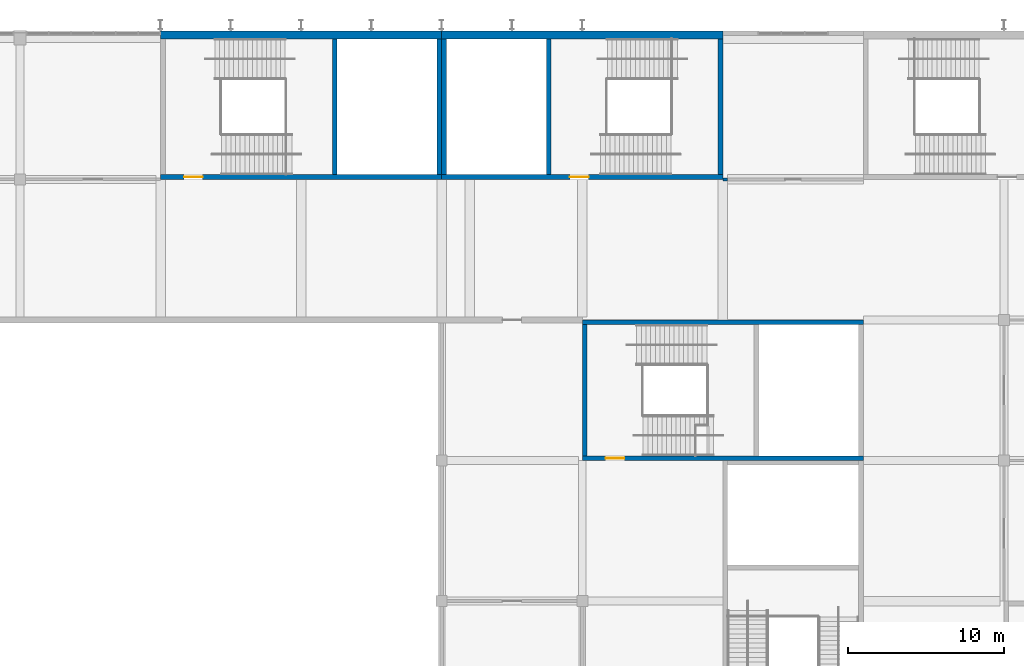
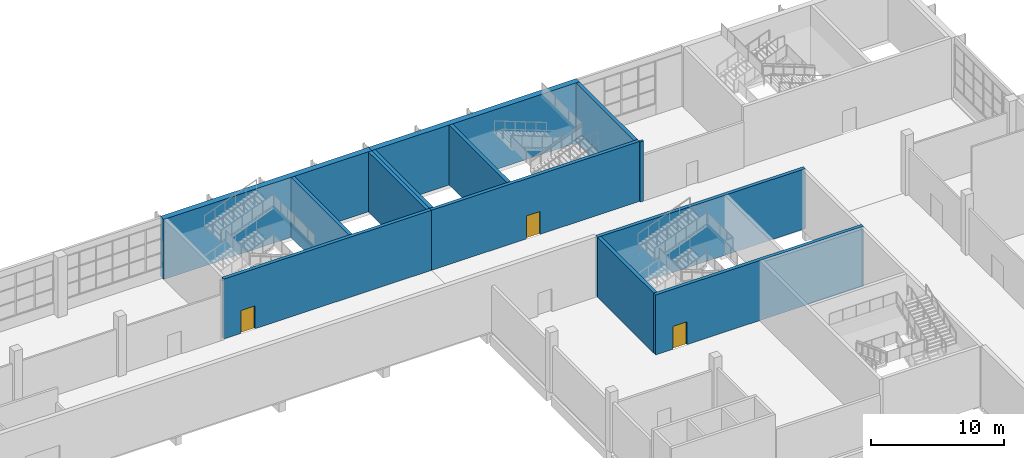
# One storey, part 41 of 84: 13 walls, 3 doors, 3 openings.
"""IFC4 building model written with IfcOpenShell, lengths in metres."""

from ifc_helpers import new_model, si_unit, direction, frame, frame_2d, origin, place, context, subcontext, project, spatial, rectangle, extrude, material, layer, layer_set, type_object, element, fill, save


model = new_model("IFC4")

# Units and contexts
model_context = context("Model", 3, precision=1e-05, world=origin(), true_north=direction((0.0, 1.0)))
body_context = subcontext(model_context, "Body", "Model", "MODEL_VIEW")
ifc_project = project(units=[si_unit("LENGTHUNIT", "METRE"), si_unit("AREAUNIT", "SQUARE_METRE"), si_unit("VOLUMEUNIT", "CUBIC_METRE"), si_unit("PLANEANGLEUNIT", "RADIAN"), si_unit("MASSUNIT", "GRAM", prefix="KILO")], contexts=[model_context])

# Site, building, storey
site_placement = place(None, origin())
site = spatial("IfcSite", under=ifc_project, at=site_placement, CompositionType="ELEMENT")
building_placement = place(site_placement, origin())
building = spatial("IfcBuilding", under=site, at=building_placement, Name="Silverbay Arena", CompositionType="ELEMENT")
storey_placement = place(building_placement, frame((0.0, 0.0, 28.0)))
storey = spatial("IfcBuildingStorey", under=building, at=storey_placement, Name="L04", CompositionType="ELEMENT", Elevation=28.0)

# Wall, opening, door
ifc_material_1 = material(Name="Concrete Grade C45", Category="concrete")
ifc_layer_1 = layer(ifc_material_1, 0.300048828125)
ifc_layer_set_1 = layer_set([ifc_layer_1], Name="Concrete Grade C45")
wall_type_1 = type_object("IfcWallType", Name="Core wall RC 300 EI 120", PredefinedType="SHEAR", material=ifc_layer_set_1)
wall_1_placement = place(storey_placement, frame((144.0, 135.14990234375, 0.0), z_axis=(0.0, 0.0, 1.0), x_axis=(1.0, 0.0, 0.0)))
wall_1 = element("IfcWall", 1, at=wall_1_placement, inside=storey, type_object=wall_type_1, Name="Core wall ST-N3 L04 door side", PredefinedType="SHEAR", context=body_context, shape_type="SweptSolid", body=[
    extrude(rectangle(XDim=18.0, YDim=0.300048828125, at=frame_2d((9.0, 0.0))), origin(), (0.0, 0.0, 1.0), 5.5),
])
opening_1_placement = place(wall_1_placement, frame((1.5, 0.0, 0.0)))
opening_1 = element("IfcOpeningElement", 2, at=opening_1_placement, cuts=wall_1, Name="Opening L04-061", PredefinedType="OPENING", context=body_context, shape_type="SweptSolid", body=[
    extrude(rectangle(XDim=1.199951171875, YDim=2.10009765625, at=frame_2d((0.60009765625, 1.050048828125))), frame((0.0, 0.16015625, 0.0), z_axis=(0.0, -1.0, 0.0), x_axis=(1.0, 0.0, 0.0)), (0.0, 0.0, 1.0), 0.320068359375),
])
ifc_material_2 = material(Name="Steel fire door", Category="steel")
door_type = type_object("IfcDoorType", Name="Stair door 1200 x 2100 fire door", OperationType="SINGLE_SWING_LEFT", PredefinedType="DOOR", material=ifc_material_2)
door_1_placement = place(opening_1_placement, origin())
door_1 = element("IfcDoor", 3, at=door_1_placement, inside=storey, type_object=door_type, Name="Stair door ST-N3 L04", OperationType="SINGLE_SWING_LEFT", OverallHeight=2.10009765625, OverallWidth=1.199951171875, PredefinedType="DOOR", context=body_context, shape_type="SweptSolid", body=[
    extrude(rectangle(XDim=1.199951171875, YDim=2.10009765625, at=frame_2d((0.60009765625, 1.050048828125))), frame((0.0, 0.02490234375, 0.0), z_axis=(0.0, -1.0, 0.0), x_axis=(1.0, 0.0, 0.0)), (0.0, 0.0, 1.0), 0.050048828125),
])
fill(opening_1, door_1)

# Walls
for number, where, z_axis, x_axis, name in (
    (4, (161.85009765625, 135.300048828125, 0.0), (0.0, 0.0, 1.0), (0.0, 1.0, 0.0), "Core wall ST-N3 L04 end 2"),
    (5, (155.14990234375, 135.300048828125, 0.0), (0.0, 0.0, 1.0), (0.0, 1.0, 0.0), "Core wall ST-N3 L04 stair enclosure"),
):
    element("IfcWall", number, at=place(storey_placement, frame(where, z_axis=z_axis, x_axis=x_axis)), inside=storey, type_object=wall_type_1, Name=name, PredefinedType="SHEAR", context=body_context, shape_type="SweptSolid", body=[
        extrude(rectangle(XDim=8.699951171875, YDim=0.300048828125, at=frame_2d((4.35009765625, 0.0))), origin(), (0.0, 0.0, 1.0), 5.5),
    ])

# Wall, opening, door
wall_2_placement = place(storey_placement, frame((180.0, 135.14990234375, 0.0), z_axis=(0.0, 0.0, 1.0), x_axis=(-1.0, 0.0, 0.0)))
wall_2 = element("IfcWall", 6, at=wall_2_placement, inside=storey, type_object=wall_type_1, Name="Core wall ST-N4 L04 door side", PredefinedType="SHEAR", context=body_context, shape_type="SweptSolid", body=[
    extrude(rectangle(XDim=18.0, YDim=0.300048828125, at=frame_2d((9.0, 0.0))), origin(), (0.0, 0.0, 1.0), 5.5),
])
opening_2_placement = place(wall_2_placement, frame((8.60009765625, 0.0, 0.0)))
opening_2 = element("IfcOpeningElement", 7, at=opening_2_placement, cuts=wall_2, Name="Opening L04-062", PredefinedType="OPENING", context=body_context, shape_type="SweptSolid", body=[
    extrude(rectangle(XDim=1.199951171875, YDim=2.10009765625, at=frame_2d((0.60009765625, 1.050048828125))), frame((0.0, 0.16015625, 0.0), z_axis=(0.0, -1.0, 0.0), x_axis=(1.0, 0.0, 0.0)), (0.0, 0.0, 1.0), 0.320068359375),
])
door_2_placement = place(opening_2_placement, frame((1.199951171875, 0.0, 0.0), z_axis=(0.0, 0.0, 1.0), x_axis=(-1.0, 0.0, 0.0)))
door_2 = element("IfcDoor", 8, at=door_2_placement, inside=storey, type_object=door_type, Name="Stair door ST-N4 L04", OperationType="SINGLE_SWING_LEFT", OverallHeight=2.10009765625, OverallWidth=1.199951171875, PredefinedType="DOOR", context=body_context, shape_type="SweptSolid", body=[
    extrude(rectangle(XDim=1.199951171875, YDim=2.10009765625, at=frame_2d((0.60009765625, 1.050048828125))), frame((0.0, 0.02490234375, 0.0), z_axis=(0.0, -1.0, 0.0), x_axis=(1.0, 0.0, 0.0)), (0.0, 0.0, 1.0), 0.050048828125),
])
fill(opening_2, door_2)

# Walls
for number, where, z_axis, x_axis, name in (
    (9, (179.85009765625, 135.300048828125, 0.0), (0.0, 0.0, 1.0), (0.0, 1.0, 0.0), "Core wall ST-N4 L04 end 1"),
    (10, (162.14990234375, 135.300048828125, 0.0), (0.0, 0.0, 1.0), (0.0, 1.0, 0.0), "Core wall ST-N4 L04 end 2"),
    (11, (168.85009765625, 135.300048828125, 0.0), (0.0, 0.0, 1.0), (0.0, 1.0, 0.0), "Core wall ST-N4 L04 stair enclosure"),
):
    element("IfcWall", number, at=place(storey_placement, frame(where, z_axis=z_axis, x_axis=x_axis)), inside=storey, type_object=wall_type_1, Name=name, PredefinedType="SHEAR", context=body_context, shape_type="SweptSolid", body=[
        extrude(rectangle(XDim=8.699951171875, YDim=0.300048828125, at=frame_2d((4.35009765625, 0.0))), origin(), (0.0, 0.0, 1.0), 5.5),
    ])

# Wall, opening, door
wall_3_placement = place(storey_placement, frame((171.0, 117.14990234375, 0.0), z_axis=(0.0, 0.0, 1.0), x_axis=(1.0, 0.0, 0.0)))
wall_3 = element("IfcWall", 12, at=wall_3_placement, inside=storey, type_object=wall_type_1, Name="Core wall ST-NE1 L04 door side", PredefinedType="SHEAR", context=body_context, shape_type="SweptSolid", body=[
    extrude(rectangle(XDim=18.0, YDim=0.300048828125, at=frame_2d((9.0, 0.0))), origin(), (0.0, 0.0, 1.0), 5.5),
])
opening_3_placement = place(wall_3_placement, frame((1.5, 0.0, 0.0)))
opening_3 = element("IfcOpeningElement", 13, at=opening_3_placement, cuts=wall_3, Name="Opening L04-077", PredefinedType="OPENING", context=body_context, shape_type="SweptSolid", body=[
    extrude(rectangle(XDim=1.199951171875, YDim=2.10009765625, at=frame_2d((0.60009765625, 1.050048828125))), frame((0.0, 0.16015625, 0.0), z_axis=(0.0, -1.0, 0.0), x_axis=(1.0, 0.0, 0.0)), (0.0, 0.0, 1.0), 0.320068359375),
])
door_3_placement = place(opening_3_placement, origin())
door_3 = element("IfcDoor", 14, at=door_3_placement, inside=storey, type_object=door_type, Name="Stair door ST-NE1 L04", OperationType="SINGLE_SWING_LEFT", OverallHeight=2.10009765625, OverallWidth=1.199951171875, PredefinedType="DOOR", context=body_context, shape_type="SweptSolid", body=[
    extrude(rectangle(XDim=1.199951171875, YDim=2.10009765625, at=frame_2d((0.60009765625, 1.050048828125))), frame((0.0, 0.02490234375, 0.0), z_axis=(0.0, -1.0, 0.0), x_axis=(1.0, 0.0, 0.0)), (0.0, 0.0, 1.0), 0.050048828125),
])
fill(opening_3, door_3)

# Walls
wall_4_placement = place(storey_placement, frame((171.0, 125.85009765625, 0.0), z_axis=(0.0, 0.0, 1.0), x_axis=(1.0, 0.0, 0.0)))
element("IfcWall", 15, at=wall_4_placement, inside=storey, type_object=wall_type_1, Name="Core wall ST-NE1 L04 far side", PredefinedType="SHEAR", context=body_context, shape_type="SweptSolid", body=[
    extrude(rectangle(XDim=18.0, YDim=0.300048828125, at=frame_2d((9.0, 0.0))), origin(), (0.0, 0.0, 1.0), 5.5),
])
wall_5_placement = place(storey_placement, frame((171.14990234375, 117.300048828125, 0.0), z_axis=(0.0, 0.0, 1.0), x_axis=(0.0, 1.0, 0.0)))
element("IfcWall", 16, at=wall_5_placement, inside=storey, type_object=wall_type_1, Name="Core wall ST-NE1 L04 end 1", PredefinedType="SHEAR", context=body_context, shape_type="SweptSolid", body=[
    extrude(rectangle(XDim=8.39990234375, YDim=0.300048828125, at=frame_2d((4.199951171875, 0.0))), origin(), (0.0, 0.0, 1.0), 5.5),
])
ifc_material_3 = material(Name="Concrete Grade C45", Category="concrete")
ifc_layer_2 = layer(ifc_material_3, 0.5)
ifc_layer_set_2 = layer_set([ifc_layer_2], Name="Concrete Grade C45")
wall_type_2 = type_object("IfcWallType", Name="Core wall RC 500 external EI 120", PredefinedType="SHEAR", material=ifc_layer_set_2)
for number, where, z_axis, x_axis, name in (
    (17, (144.0, 144.25, 0.0), (0.0, 0.0, 1.0), (1.0, 0.0, 0.0), "Core wall ST-N3 L04 facade side"),
    (18, (180.0, 144.25, 0.0), (0.0, 0.0, 1.0), (-1.0, 0.0, 0.0), "Core wall ST-N4 L04 facade side"),
):
    element("IfcWall", number, at=place(storey_placement, frame(where, z_axis=z_axis, x_axis=x_axis)), inside=storey, type_object=wall_type_2, Name=name, PredefinedType="SHEAR", context=body_context, shape_type="SweptSolid", body=[
        extrude(rectangle(XDim=18.0, YDim=0.5, at=frame_2d((9.0, 0.0))), origin(), (0.0, 0.0, 1.0), 5.5),
    ])
ifc_material_4 = material(Name="Masonry blockwork partition", Category="masonry")
ifc_layer_3 = layer(ifc_material_4, 0.199951171875)
ifc_layer_set_3 = layer_set([ifc_layer_3], Name="Masonry blockwork partition")
wall_type_3 = type_object("IfcWallType", Name="Partition 200 EI 120", PredefinedType="PARTITIONING", material=ifc_layer_set_3)
wall_6_placement = place(storey_placement, frame((180.0, 135.0, 0.0), z_axis=(0.0, 0.0, 1.0), x_axis=(1.0, 0.0, 0.0)))
element("IfcWall", 19, at=wall_6_placement, inside=storey, type_object=wall_type_3, Name="Partition wall", PredefinedType="PARTITIONING", context=body_context, shape_type="SweptSolid", body=[
    extrude(rectangle(XDim=0.300048828125, YDim=0.199951171875, at=frame_2d((0.14990234375, 0.0))), origin(), (0.0, 0.0, 1.0), 5.5),
])

save(model, "model.ifc")
